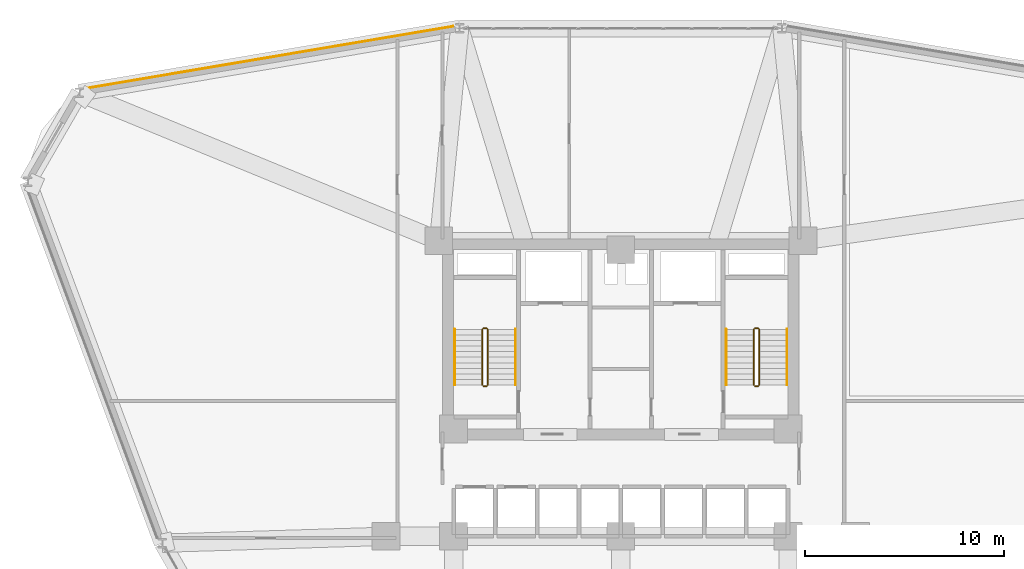
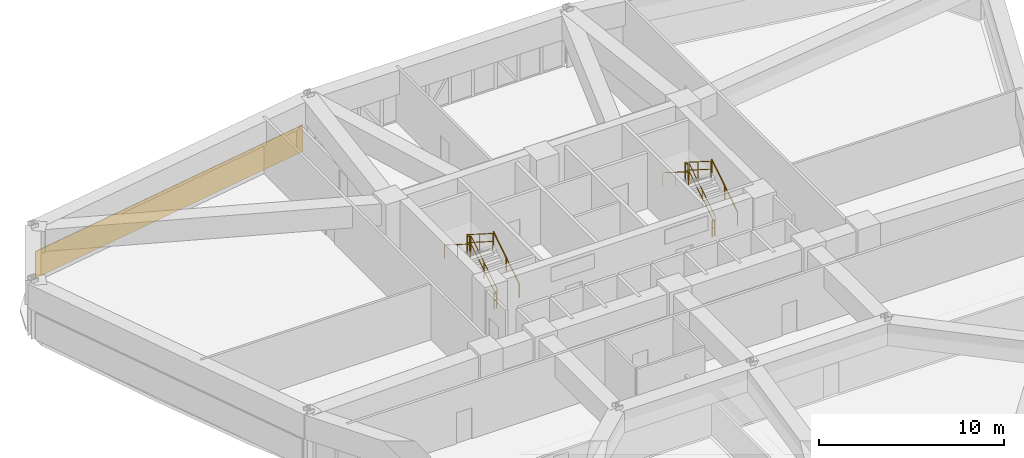
# One storey, part 19 of 20: 12 railings, 1 covering.
"""IFC4 building model written with IfcOpenShell, lengths in metres."""

import ifcopenshell
import ifcopenshell.guid

model = None  # the IFC model being written
_history = None  # IfcOwnerHistory: only IFC2X3 demands one
_inside = {}  # id of a spatial element -> (the spatial element, [elements in it])
_under = {}  # id of a project, library or spatial element -> (it, [spatial elements below it])
_declared = {}  # id of a project -> (the project, [libraries it declares])
_typed = {}  # id of a type object -> (the type object, [elements of that type])
_made_of = {}  # id of a material, layer set ... -> (it, [elements and type objects made of it])


def new_model(schema):
    """Start an empty IFC model of exactly this schema.

    Asked for "IFC4X3", IfcOpenShell would pick the latest addendum, in which some entities
    have other attributes; the version numbers below select the first issue.
    IFC2X3 requires an IfcOwnerHistory on every rooted entity: one is made here for all.
    """
    global model, _history
    if schema == "IFC4X3":
        model = ifcopenshell.file(schema_version=(4, 3, 0, 0))
    else:
        model = ifcopenshell.file(schema=schema)
    _inside.clear()
    _under.clear()
    _declared.clear()
    _typed.clear()
    _made_of.clear()
    _history = None
    if model.schema == "IFC2X3":
        org = make("IfcOrganization", Name="unknown")
        user = make(
            "IfcPersonAndOrganization",
            ThePerson=make("IfcPerson", FamilyName="unknown"),
            TheOrganization=org,
        )
        app = make(
            "IfcApplication",
            ApplicationDeveloper=org,
            Version="unknown",
            ApplicationFullName="unknown",
            ApplicationIdentifier="unknown",
        )
        _history = make(
            "IfcOwnerHistory",
            OwningUser=user,
            OwningApplication=app,
            ChangeAction="ADDED",
            CreationDate=0,
        )
    return model


def make(cls, **values):
    """One entity of the class cls with the attributes given. An attribute that is None is left unset."""
    return model.create_entity(
        cls, **{name: value for name, value in values.items() if value is not None}
    )


def rooted(cls, **values):
    """An entity with a GlobalId (a new one), such as an element, a storey or a relation."""
    return make(cls, GlobalId=ifcopenshell.guid.new(), OwnerHistory=_history, **values)


def si_unit(unit_type, name, prefix=None):
    """IfcSIUnit, for example si_unit("LENGTHUNIT", "METRE", prefix="MILLI")."""
    return make("IfcSIUnit", UnitType=unit_type, Prefix=prefix, Name=name)


def derived_unit(unit_type, elements):
    """IfcDerivedUnit: a product of units, each with its exponent."""
    return make(
        "IfcDerivedUnit",
        Elements=[
            make("IfcDerivedUnitElement", Unit=unit, Exponent=power)
            for unit, power in elements
        ],
        UnitType=unit_type,
    )


def assignment(units):
    """IfcUnitAssignment: the units of a project."""
    return None if units is None else make("IfcUnitAssignment", Units=units)


def point(xyz):
    """IfcCartesianPoint."""
    return None if xyz is None else make("IfcCartesianPoint", Coordinates=xyz)


def direction(xyz):
    """IfcDirection."""
    return None if xyz is None else make("IfcDirection", DirectionRatios=xyz)


def frame(location, z_axis=None, x_axis=None):
    """IfcAxis2Placement3D, a coordinate frame: its origin and axes. An axis left out is left unset."""
    return make(
        "IfcAxis2Placement3D",
        Location=point(location),
        Axis=direction(z_axis),
        RefDirection=direction(x_axis),
    )


def frame_2d(location, x_axis=None):
    """IfcAxis2Placement2D, a coordinate frame in the plane: its origin and x axis."""
    return make(
        "IfcAxis2Placement2D", Location=point(location), RefDirection=direction(x_axis)
    )


def origin():
    """The frame at (0, 0, 0) with its axes left unset."""
    return frame((0.0, 0.0, 0.0))


def origin_2d():
    """The frame at (0, 0) in the plane with its x axis left unset."""
    return frame_2d((0.0, 0.0))


def place(relative_to, where):
    """IfcLocalPlacement: puts the frame where relative to a parent placement (None: the world)."""
    return make(
        "IfcLocalPlacement", PlacementRelTo=relative_to, RelativePlacement=where
    )


def context(
    kind, dimensions, precision=None, world=None, true_north=None, identifier=None
):
    """IfcGeometricRepresentationContext, for example the 3D "Model" context."""
    return make(
        "IfcGeometricRepresentationContext",
        ContextIdentifier=identifier,
        ContextType=kind,
        CoordinateSpaceDimension=dimensions,
        Precision=precision,
        WorldCoordinateSystem=world,
        TrueNorth=true_north,
    )


def subcontext(parent, identifier, kind, view, scale=None):
    """IfcGeometricRepresentationSubContext, for example "Body" below "Model"."""
    return make(
        "IfcGeometricRepresentationSubContext",
        ContextIdentifier=identifier,
        ContextType=kind,
        ParentContext=parent,
        TargetScale=scale,
        TargetView=view,
    )


def project(units=None, contexts=None):
    """IfcProject with its units and contexts."""
    return rooted(
        "IfcProject",
        Name="project",
        RepresentationContexts=contexts,
        UnitsInContext=assignment(units),
    )


def spatial(cls, under=None, at=None, **own):
    """A site, building, storey or space (cls), placed at a placement, below another one or the project."""
    s = rooted(cls, ObjectPlacement=at, **own)
    if under is not None:
        _under.setdefault(under.id(), (under, []))[1].append(s)
    return s


def polyline(points):
    """IfcPolyline through the points."""
    return make("IfcPolyline", Points=[point(p) for p in points])


def profile(cls, at=None, kind="AREA", **sizes):
    """A parametric profile (cls). Its sizes go by their IFC names, for example OverallWidth=200.0."""
    return make(cls, ProfileType=kind, Position=at, **sizes)


def circle(**sizes):
    """IfcCircleProfileDef."""
    return profile("IfcCircleProfileDef", **sizes)


def outline(outer, holes=None, kind="AREA"):
    """IfcArbitraryClosedProfileDef: a profile drawn as a closed curve; with holes, ...WithVoids."""
    if holes is None:
        return make("IfcArbitraryClosedProfileDef", ProfileType=kind, OuterCurve=outer)
    return make(
        "IfcArbitraryProfileDefWithVoids",
        ProfileType=kind,
        OuterCurve=outer,
        InnerCurves=holes,
    )


def extrude(swept, where, along, depth):
    """IfcExtrudedAreaSolid: the profile swept, set in the frame where, extruded along a direction by depth."""
    return make(
        "IfcExtrudedAreaSolid",
        SweptArea=swept,
        Position=where,
        ExtrudedDirection=direction(along),
        Depth=depth,
    )


def shape(context_of_items, identifier, shape_type, items):
    """IfcShapeRepresentation: the items that make up one representation, for example the "Body"."""
    return make(
        "IfcShapeRepresentation",
        ContextOfItems=context_of_items,
        RepresentationIdentifier=identifier,
        RepresentationType=shape_type,
        Items=items,
    )


def material(Name=None, Category=None):
    """IfcMaterial."""
    return make("IfcMaterial", Name=Name, Category=Category)


def layer(
    of_material, thickness, ventilated=None, Name=None, Category=None, Priority=None
):
    """IfcMaterialLayer: one layer of a wall or slab, of a material (None: an air gap)."""
    return make(
        "IfcMaterialLayer",
        Material=of_material,
        LayerThickness=thickness,
        IsVentilated=ventilated,
        Name=Name,
        Category=Category,
        Priority=Priority,
    )


def layer_set(layers, Name=None):
    """IfcMaterialLayerSet."""
    return make("IfcMaterialLayerSet", MaterialLayers=layers, LayerSetName=Name)


def made_of(thing, what):
    """Note that an element or type object is made of a material, layer set ...; save() writes the relation."""
    if what is not None:
        _made_of.setdefault(what.id(), (what, []))[1].append(thing)
    return thing


def type_object(cls, material=None, **own):
    """A type object (cls), such as IfcWallType, which elements share."""
    return made_of(rooted(cls, **own), material)


def element(
    cls,
    number,
    at=None,
    inside=None,
    cuts=None,
    type_object=None,
    material=None,
    context=None,
    identifier="Body",
    shape_type=None,
    held_by="IfcProductDefinitionShape",
    body=None,
    shapes=None,
    **own,
):
    """One element of the class cls, such as IfcWall. Its Tag is "e" and its number.

    at: its placement. inside: the storey or other place that contains it. cuts: it is an
    opening in that element (IfcRelVoidsElement). A single representation is given by context,
    identifier, shape_type and body (its items); several are given by shapes. held_by: the class
    of the entity that holds the representations. save() writes the other relations.
    """
    e = rooted(cls, Tag="e%d" % number, ObjectPlacement=at, **own)
    if body is not None:
        shapes = [shape(context, identifier, shape_type, body)]
    if shapes is not None:
        e.Representation = make(held_by, Representations=shapes)
    if inside is not None:
        _inside.setdefault(inside.id(), (inside, []))[1].append(e)
    if cuts is not None:
        rooted(
            "IfcRelVoidsElement", RelatingBuildingElement=cuts, RelatedOpeningElement=e
        )
    if type_object is not None:
        _typed.setdefault(type_object.id(), (type_object, []))[1].append(e)
    return made_of(e, material)


def aggregate(whole, parts):
    """IfcRelAggregates: a whole, such as a stair, and the parts it consists of."""
    return rooted("IfcRelAggregates", RelatingObject=whole, RelatedObjects=parts)


def save(model, path):
    """Write the relations noted so far, then the file.

    IfcRelAggregates (storeys below a building ...), IfcRelContainedInSpatialStructure (elements
    in a storey), IfcRelDefinesByType, IfcRelAssociatesMaterial and IfcRelDeclares: one each for
    every whole, place, type object, material and project.
    """
    for whole, parts in _under.values():
        aggregate(whole, parts)
    for where, things in _inside.values():
        rooted(
            "IfcRelContainedInSpatialStructure",
            RelatedElements=things,
            RelatingStructure=where,
        )
    for kind, things in _typed.values():
        rooted("IfcRelDefinesByType", RelatedObjects=things, RelatingType=kind)
    for what, things in _made_of.values():
        rooted("IfcRelAssociatesMaterial", RelatedObjects=things, RelatingMaterial=what)
    for by, libraries in _declared.values():
        rooted("IfcRelDeclares", RelatingContext=by, RelatedDefinitions=libraries)
    model.write(path)


model = new_model("IFC4")

# Units and contexts
model_context = context("Model", 3, precision=1e-05, world=origin(), true_north=direction((0.0, 1.0)))
body_context = subcontext(model_context, "Body", "Model", "MODEL_VIEW")
ifc_project = project(units=[si_unit("LENGTHUNIT", "METRE"), si_unit("AREAUNIT", "SQUARE_METRE"), si_unit("VOLUMEUNIT", "CUBIC_METRE"), si_unit("PLANEANGLEUNIT", "RADIAN"), si_unit("MASSUNIT", "GRAM", prefix="KILO"), derived_unit("THERMALTRANSMITTANCEUNIT", [(si_unit("POWERUNIT", "WATT"), 1), (si_unit("LENGTHUNIT", "METRE"), -2), (si_unit("THERMODYNAMICTEMPERATUREUNIT", "KELVIN"), -1)])], contexts=[model_context])

# Site, building, storey
site_placement = place(None, origin())
site = spatial("IfcSite", under=ifc_project, at=site_placement, CompositionType="ELEMENT")
building_placement = place(site_placement, origin())
building = spatial("IfcBuilding", under=site, at=building_placement, Name="Korsvarv Bourse and Concert Hall", CompositionType="ELEMENT")
storey_placement = place(building_placement, frame((0.0, 0.0, 31.800048828125)))
storey = spatial("IfcBuildingStorey", under=building, at=storey_placement, Name="L07", CompositionType="ELEMENT", Elevation=31.800048828125)

# Covering
ifc_material_1 = material(Name="Warm iron-oxide extruded terracotta rainscreen tile", Category="ceramic")
ifc_layer = layer(ifc_material_1, 0.044921875)
ifc_layer_set = layer_set([ifc_layer], Name="Warm iron-oxide extruded terracotta rainscreen tile")
covering_type = type_object("IfcCoveringType", Name="COV-CLD-TC", PredefinedType="CLADDING", material=ifc_layer_set)
covering_placement = place(storey_placement, origin())
element("IfcCovering", 1, at=covering_placement, inside=storey, type_object=covering_type, Name="L07 fluted terracotta cladding panel EW-L07-B04", PredefinedType="CLADDING", context=body_context, shape_type="SweptSolid", body=[
    extrude(outline(polyline([(27.583984375, 58.000244140625), (9.066650390625, 54.872314453125), (9.05908203125, 54.91650390625), (27.57666015625, 58.044677734375), (27.583984375, 58.000244140625)])), origin(), (0.0, 0.0, 1.0), 1.760009765625),
])

# Railings
ifc_material_2 = material(Name="Painted Steel S355 stair well guardrail", Category="steel")
railing_type_1 = type_object("IfcRailingType", Name="RL-ST-GRD", PredefinedType="GUARDRAIL", material=ifc_material_2)
railing_1_placement = place(storey_placement, frame((29.31005859375, 40.0, 0.17724609375)))
element("IfcRailing", 2, at=railing_1_placement, inside=storey, type_object=railing_type_1, Name="L07 ST-T1 stair guard 1", PredefinedType="GUARDRAIL", context=body_context, shape_type="SweptSolid", body=[
    extrude(circle(Radius=0.02392578125, at=origin_2d()), frame((0.0, 0.0, 1.076171875), z_axis=(0.0, 0.844908973607, 0.534910110503), x_axis=(-1.0, 0.0, 0.0)), (0.0, 0.0, 1.0), 3.31396484375),
    extrude(circle(Radius=0.02392578125, at=origin_2d()), frame((0.0, 0.0, 0.550048828125), z_axis=(0.0, 0.844908973607, 0.534910110503), x_axis=(-1.0, 0.0, 0.0)), (0.0, 0.0, 1.0), 3.31396484375),
    extrude(circle(Radius=0.02099609375, at=origin_2d()), origin(), (0.0, 0.0, 1.0), 1.052001953125),
    extrude(circle(Radius=0.02099609375, at=origin_2d()), frame((0.0, 1.39990234375, 0.88623046875)), (0.0, 0.0, 1.0), 1.052001953125),
    extrude(circle(Radius=0.02099609375, at=origin_2d()), frame((0.0, 2.800048828125, 1.772705078125)), (0.0, 0.0, 1.0), 1.052001953125),
])
railing_2_placement = place(storey_placement, frame((29.260009765625, 42.85009765625, 1.949951171875)))
element("IfcRailing", 3, at=railing_2_placement, inside=storey, type_object=railing_type_1, Name="L07 ST-T1 stair guard 2", PredefinedType="GUARDRAIL", context=body_context, shape_type="SweptSolid", body=[
    extrude(circle(Radius=0.02392578125, at=origin_2d()), frame((0.0, 0.0, 1.076171875), z_axis=(-1.0, 0.0, 0.0), x_axis=(0.0, -1.0, 0.0)), (0.0, 0.0, 1.0), 0.159912109375),
    extrude(circle(Radius=0.02392578125, at=origin_2d()), frame((0.0, 0.0, 0.550048828125), z_axis=(-1.0, 0.0, 0.0), x_axis=(0.0, -1.0, 0.0)), (0.0, 0.0, 1.0), 0.159912109375),
    extrude(circle(Radius=0.02099609375, at=origin_2d()), origin(), (0.0, 0.0, 1.0), 1.052001953125),
    extrude(circle(Radius=0.02099609375, at=origin_2d()), frame((-0.159912109375, 0.0, 0.0)), (0.0, 0.0, 1.0), 1.052001953125),
])
railing_3_placement = place(storey_placement, frame((29.050048828125, 42.800048828125, 2.127197265625)))
element("IfcRailing", 4, at=railing_3_placement, inside=storey, type_object=railing_type_1, Name="L07 ST-T1 stair guard 3", PredefinedType="GUARDRAIL", context=body_context, shape_type="SweptSolid", body=[
    extrude(circle(Radius=0.02392578125, at=origin_2d()), frame((0.0, 0.0, 1.076171875), z_axis=(0.0, -0.844908973607, 0.534910110503), x_axis=(1.0, 0.0, 0.0)), (0.0, 0.0, 1.0), 3.31396484375),
    extrude(circle(Radius=0.02392578125, at=origin_2d()), frame((0.0, 0.0, 0.550048828125), z_axis=(0.0, -0.844908973607, 0.534910110503), x_axis=(1.0, 0.0, 0.0)), (0.0, 0.0, 1.0), 3.31396484375),
    extrude(circle(Radius=0.02099609375, at=origin_2d()), origin(), (0.0, 0.0, 1.0), 1.052001953125),
    extrude(circle(Radius=0.02099609375, at=origin_2d()), frame((0.0, -1.39990234375, 0.88623046875)), (0.0, 0.0, 1.0), 1.052001953125),
    extrude(circle(Radius=0.02099609375, at=origin_2d()), frame((0.0, -2.800048828125, 1.772705078125)), (0.0, 0.0, 1.0), 1.052001953125),
])
railing_4_placement = place(storey_placement, frame((29.260009765625, 39.949951171875, 0.0)))
element("IfcRailing", 5, at=railing_4_placement, inside=storey, type_object=railing_type_1, Name="L07 ST-T1 stair guard 4", PredefinedType="GUARDRAIL", context=body_context, shape_type="SweptSolid", body=[
    extrude(circle(Radius=0.02392578125, at=origin_2d()), frame((0.0, 0.0, 1.076171875), z_axis=(-1.0, 0.0, 0.0), x_axis=(0.0, -1.0, 0.0)), (0.0, 0.0, 1.0), 0.159912109375),
    extrude(circle(Radius=0.02392578125, at=origin_2d()), frame((0.0, 0.0, 0.550048828125), z_axis=(-1.0, 0.0, 0.0), x_axis=(0.0, -1.0, 0.0)), (0.0, 0.0, 1.0), 0.159912109375),
    extrude(circle(Radius=0.02099609375, at=origin_2d()), origin(), (0.0, 0.0, 1.0), 1.052001953125),
    extrude(circle(Radius=0.02099609375, at=origin_2d()), frame((-0.159912109375, 0.0, 0.0)), (0.0, 0.0, 1.0), 1.052001953125),
])
railing_5_placement = place(storey_placement, frame((42.949951171875, 40.0, 0.17724609375)))
element("IfcRailing", 6, at=railing_5_placement, inside=storey, type_object=railing_type_1, Name="L07 ST-T2 stair guard 1", PredefinedType="GUARDRAIL", context=body_context, shape_type="SweptSolid", body=[
    extrude(circle(Radius=0.02392578125, at=origin_2d()), frame((0.0, 0.0, 1.076171875), z_axis=(0.0, 0.844908973607, 0.534910110503), x_axis=(-1.0, 0.0, 0.0)), (0.0, 0.0, 1.0), 3.31396484375),
    extrude(circle(Radius=0.02392578125, at=origin_2d()), frame((0.0, 0.0, 0.550048828125), z_axis=(0.0, 0.844908973607, 0.534910110503), x_axis=(-1.0, 0.0, 0.0)), (0.0, 0.0, 1.0), 3.31396484375),
    extrude(circle(Radius=0.02099609375, at=origin_2d()), origin(), (0.0, 0.0, 1.0), 1.052001953125),
    extrude(circle(Radius=0.02099609375, at=origin_2d()), frame((0.0, 1.39990234375, 0.88623046875)), (0.0, 0.0, 1.0), 1.052001953125),
    extrude(circle(Radius=0.02099609375, at=origin_2d()), frame((0.0, 2.800048828125, 1.772705078125)), (0.0, 0.0, 1.0), 1.052001953125),
])
railing_6_placement = place(storey_placement, frame((42.89990234375, 42.85009765625, 1.949951171875)))
element("IfcRailing", 7, at=railing_6_placement, inside=storey, type_object=railing_type_1, Name="L07 ST-T2 stair guard 2", PredefinedType="GUARDRAIL", context=body_context, shape_type="SweptSolid", body=[
    extrude(circle(Radius=0.02392578125, at=origin_2d()), frame((0.0, 0.0, 1.076171875), z_axis=(-1.0, 0.0, 0.0), x_axis=(0.0, -1.0, 0.0)), (0.0, 0.0, 1.0), 0.159912109375),
    extrude(circle(Radius=0.02392578125, at=origin_2d()), frame((0.0, 0.0, 0.550048828125), z_axis=(-1.0, 0.0, 0.0), x_axis=(0.0, -1.0, 0.0)), (0.0, 0.0, 1.0), 0.159912109375),
    extrude(circle(Radius=0.02099609375, at=origin_2d()), origin(), (0.0, 0.0, 1.0), 1.052001953125),
    extrude(circle(Radius=0.02099609375, at=origin_2d()), frame((-0.159912109375, 0.0, 0.0)), (0.0, 0.0, 1.0), 1.052001953125),
])
railing_7_placement = place(storey_placement, frame((42.68994140625, 42.800048828125, 2.127197265625)))
element("IfcRailing", 8, at=railing_7_placement, inside=storey, type_object=railing_type_1, Name="L07 ST-T2 stair guard 3", PredefinedType="GUARDRAIL", context=body_context, shape_type="SweptSolid", body=[
    extrude(circle(Radius=0.02392578125, at=origin_2d()), frame((0.0, 0.0, 1.076171875), z_axis=(0.0, -0.844908973607, 0.534910110503), x_axis=(1.0, 0.0, 0.0)), (0.0, 0.0, 1.0), 3.31396484375),
    extrude(circle(Radius=0.02392578125, at=origin_2d()), frame((0.0, 0.0, 0.550048828125), z_axis=(0.0, -0.844908973607, 0.534910110503), x_axis=(1.0, 0.0, 0.0)), (0.0, 0.0, 1.0), 3.31396484375),
    extrude(circle(Radius=0.02099609375, at=origin_2d()), origin(), (0.0, 0.0, 1.0), 1.052001953125),
    extrude(circle(Radius=0.02099609375, at=origin_2d()), frame((0.0, -1.39990234375, 0.88623046875)), (0.0, 0.0, 1.0), 1.052001953125),
    extrude(circle(Radius=0.02099609375, at=origin_2d()), frame((0.0, -2.800048828125, 1.772705078125)), (0.0, 0.0, 1.0), 1.052001953125),
])
railing_8_placement = place(storey_placement, frame((42.89990234375, 39.949951171875, 0.0)))
element("IfcRailing", 9, at=railing_8_placement, inside=storey, type_object=railing_type_1, Name="L07 ST-T2 stair guard 4", PredefinedType="GUARDRAIL", context=body_context, shape_type="SweptSolid", body=[
    extrude(circle(Radius=0.02392578125, at=origin_2d()), frame((0.0, 0.0, 1.076171875), z_axis=(-1.0, 0.0, 0.0), x_axis=(0.0, -1.0, 0.0)), (0.0, 0.0, 1.0), 0.159912109375),
    extrude(circle(Radius=0.02392578125, at=origin_2d()), frame((0.0, 0.0, 0.550048828125), z_axis=(-1.0, 0.0, 0.0), x_axis=(0.0, -1.0, 0.0)), (0.0, 0.0, 1.0), 0.159912109375),
    extrude(circle(Radius=0.02099609375, at=origin_2d()), origin(), (0.0, 0.0, 1.0), 1.052001953125),
    extrude(circle(Radius=0.02099609375, at=origin_2d()), frame((-0.159912109375, 0.0, 0.0)), (0.0, 0.0, 1.0), 1.052001953125),
])
ifc_material_3 = material(Name="Brushed stainless Steel S355 tubular handrail", Category="steel")
railing_type_2 = type_object("IfcRailingType", Name="RL-ST-HND", PredefinedType="HANDRAIL", material=ifc_material_3)
railing_9_placement = place(storey_placement, frame((30.7099609375, 40.0, 0.17724609375)))
element("IfcRailing", 10, at=railing_9_placement, inside=storey, type_object=railing_type_2, Name="L07 ST-T1 stair handrail 1", PredefinedType="HANDRAIL", context=body_context, shape_type="SweptSolid", body=[
    extrude(circle(Radius=0.02392578125, at=origin_2d()), frame((0.0, 0.0, 0.8759765625), z_axis=(0.0, 0.844908973607, 0.534910110503), x_axis=(-1.0, 0.0, 0.0)), (0.0, 0.0, 1.0), 3.31396484375),
    extrude(circle(Radius=0.02099609375, at=origin_2d()), origin(), (0.0, 0.0, 1.0), 0.851806640625),
    extrude(circle(Radius=0.02099609375, at=origin_2d()), frame((0.0, 1.39990234375, 0.88623046875)), (0.0, 0.0, 1.0), 0.851806640625),
    extrude(circle(Radius=0.02099609375, at=origin_2d()), frame((0.0, 2.800048828125, 1.772705078125)), (0.0, 0.0, 1.0), 0.851806640625),
])
railing_10_placement = place(storey_placement, frame((27.64990234375, 42.800048828125, 2.127197265625)))
element("IfcRailing", 11, at=railing_10_placement, inside=storey, type_object=railing_type_2, Name="L07 ST-T1 stair handrail 2", PredefinedType="HANDRAIL", context=body_context, shape_type="SweptSolid", body=[
    extrude(circle(Radius=0.02392578125, at=origin_2d()), frame((0.0, 0.0, 0.8759765625), z_axis=(0.0, -0.844908973607, 0.534910110503), x_axis=(1.0, 0.0, 0.0)), (0.0, 0.0, 1.0), 3.31396484375),
    extrude(circle(Radius=0.02099609375, at=origin_2d()), origin(), (0.0, 0.0, 1.0), 0.851806640625),
    extrude(circle(Radius=0.02099609375, at=origin_2d()), frame((0.0, -1.39990234375, 0.88623046875)), (0.0, 0.0, 1.0), 0.851806640625),
    extrude(circle(Radius=0.02099609375, at=origin_2d()), frame((0.0, -2.800048828125, 1.772705078125)), (0.0, 0.0, 1.0), 0.851806640625),
])
railing_11_placement = place(storey_placement, frame((44.35009765625, 40.0, 0.17724609375)))
element("IfcRailing", 12, at=railing_11_placement, inside=storey, type_object=railing_type_2, Name="L07 ST-T2 stair handrail 1", PredefinedType="HANDRAIL", context=body_context, shape_type="SweptSolid", body=[
    extrude(circle(Radius=0.02392578125, at=origin_2d()), frame((0.0, 0.0, 0.8759765625), z_axis=(0.0, 0.844908973607, 0.534910110503), x_axis=(-1.0, 0.0, 0.0)), (0.0, 0.0, 1.0), 3.31396484375),
    extrude(circle(Radius=0.02099609375, at=origin_2d()), origin(), (0.0, 0.0, 1.0), 0.851806640625),
    extrude(circle(Radius=0.02099609375, at=origin_2d()), frame((0.0, 1.39990234375, 0.88623046875)), (0.0, 0.0, 1.0), 0.851806640625),
    extrude(circle(Radius=0.02099609375, at=origin_2d()), frame((0.0, 2.800048828125, 1.772705078125)), (0.0, 0.0, 1.0), 0.851806640625),
])
railing_12_placement = place(storey_placement, frame((41.2900390625, 42.800048828125, 2.127197265625)))
element("IfcRailing", 13, at=railing_12_placement, inside=storey, type_object=railing_type_2, Name="L07 ST-T2 stair handrail 2", PredefinedType="HANDRAIL", context=body_context, shape_type="SweptSolid", body=[
    extrude(circle(Radius=0.02392578125, at=origin_2d()), frame((0.0, 0.0, 0.8759765625), z_axis=(0.0, -0.844908973607, 0.534910110503), x_axis=(1.0, 0.0, 0.0)), (0.0, 0.0, 1.0), 3.31396484375),
    extrude(circle(Radius=0.02099609375, at=origin_2d()), origin(), (0.0, 0.0, 1.0), 0.851806640625),
    extrude(circle(Radius=0.02099609375, at=origin_2d()), frame((0.0, -1.39990234375, 0.88623046875)), (0.0, 0.0, 1.0), 0.851806640625),
    extrude(circle(Radius=0.02099609375, at=origin_2d()), frame((0.0, -2.800048828125, 1.772705078125)), (0.0, 0.0, 1.0), 0.851806640625),
])

save(model, "model.ifc")
